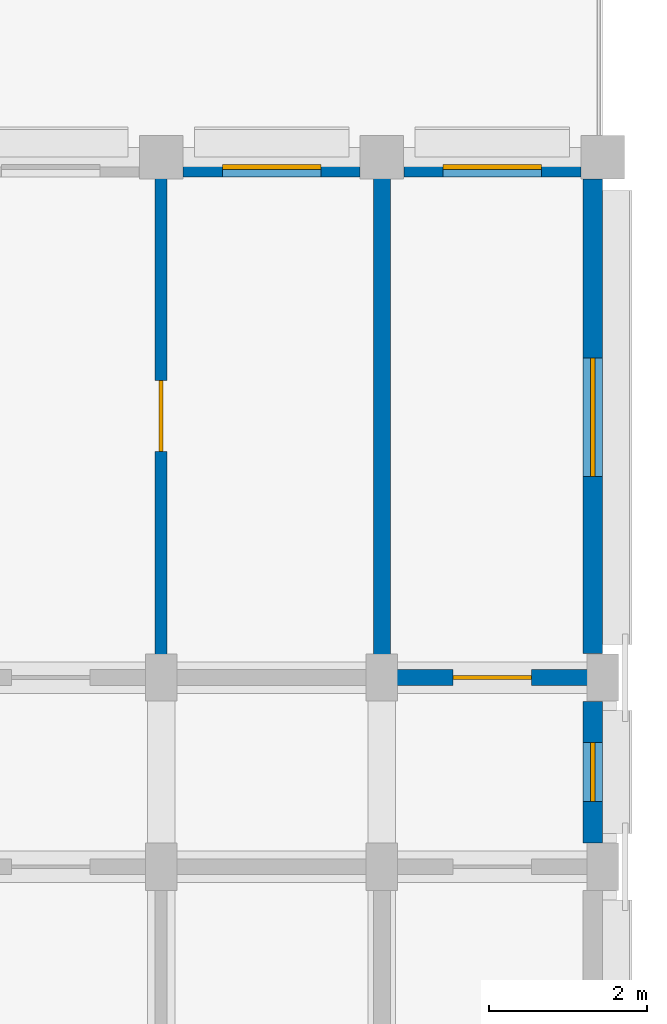
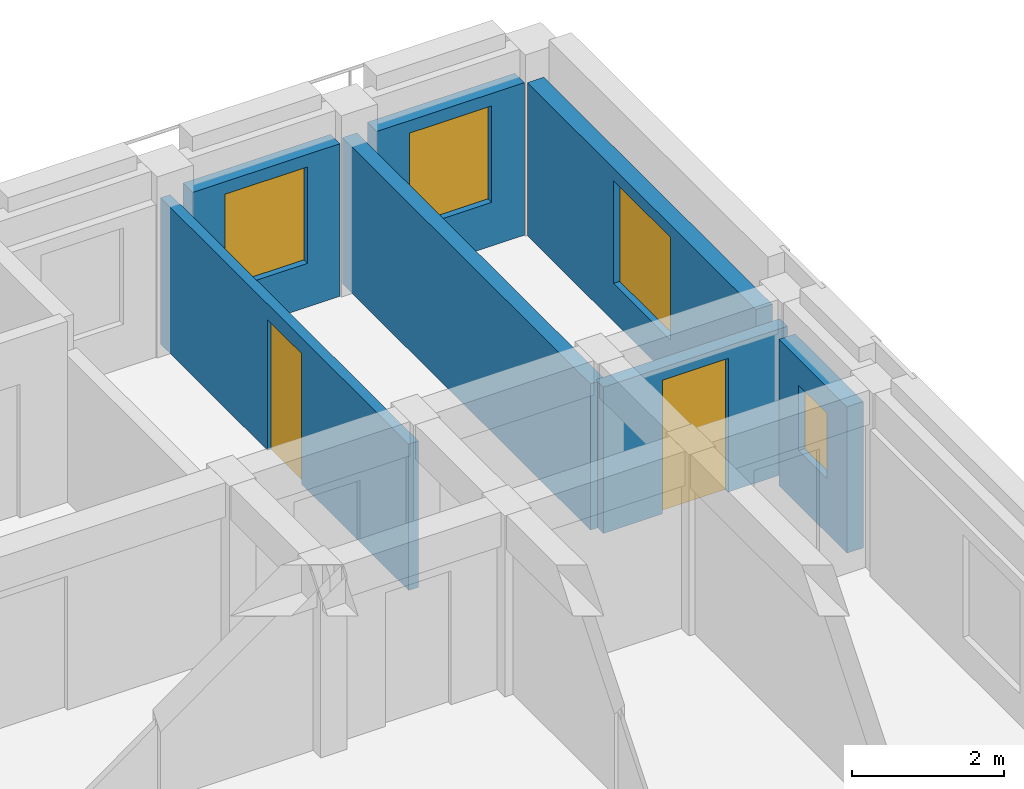
# One storey, part 10 of 14: 7 walls, 4 windows, 2 doors, 6 openings.
"""IFC4 building model written with IfcOpenShell, lengths in metres."""

from ifc_helpers import new_model, si_unit, direction, frame, frame_2d, origin, place, context, subcontext, project, spatial, rectangle, extrude, material, layer, layer_set, type_object, element, fill, save


model = new_model("IFC4")

# Units and contexts
model_context = context("Model", 3, precision=1e-05, world=origin(), true_north=direction((0.0, 1.0)))
body_context = subcontext(model_context, "Body", "Model", "MODEL_VIEW")
ifc_project = project(units=[si_unit("LENGTHUNIT", "METRE"), si_unit("AREAUNIT", "SQUARE_METRE"), si_unit("VOLUMEUNIT", "CUBIC_METRE"), si_unit("PLANEANGLEUNIT", "RADIAN"), si_unit("MASSUNIT", "GRAM", prefix="KILO")], contexts=[model_context])

# Site, building, storey
site_placement = place(None, origin())
site = spatial("IfcSite", under=ifc_project, at=site_placement, CompositionType="ELEMENT")
building_placement = place(site_placement, origin())
building = spatial("IfcBuilding", under=site, at=building_placement, Name="Kiranvali Square Residences", CompositionType="ELEMENT")
storey_placement = place(building_placement, frame((0.0, 0.0, 49.64990234375)))
storey = spatial("IfcBuildingStorey", under=building, at=storey_placement, Name="L15", CompositionType="ELEMENT", Elevation=49.64990234375)

# Wall, opening, door
ifc_material_1 = material(Name="Autoclaved aerated concrete blockwork masonry", Category="masonry")
ifc_layer_1 = layer(ifc_material_1, 0.199951171875)
ifc_layer_set_1 = layer_set([ifc_layer_1], Name="Autoclaved aerated concrete blockwork masonry")
wall_type_1 = type_object("IfcWallType", Name="WL-COR-200", PredefinedType="STANDARD", material=ifc_layer_set_1)
wall_1_placement = place(storey_placement, frame((65.0, 116.0, 0.0), z_axis=(0.0, 0.0, 1.0), x_axis=(1.0, 0.0, 0.0)))
wall_1 = element("IfcWall", 1, at=wall_1_placement, inside=storey, type_object=wall_type_1, Name="L15 architectural wall WL-L15-A-A1CO-2", PredefinedType="STANDARD", context=body_context, shape_type="SweptSolid", body=[
    extrude(rectangle(XDim=2.800048828125, YDim=0.199951171875, at=frame_2d((1.39990234375, 0.0))), origin(), (0.0, 0.0, 1.0), 2.35205078125),
])
opening_1_placement = place(wall_1_placement, frame((0.89990234375, 0.0, 0.0)))
opening_1 = element("IfcOpeningElement", 2, at=opening_1_placement, cuts=wall_1, Name="Opening FD-APT-60", PredefinedType="OPENING", context=body_context, shape_type="SweptSolid", body=[
    extrude(rectangle(XDim=1.0, YDim=2.14990234375, at=frame_2d((0.5, 1.074951171875))), frame((0.0, 0.10986328125, 0.0), z_axis=(0.0, -1.0, 0.0), x_axis=(1.0, 0.0, 0.0)), (0.0, 0.0, 1.0), 0.219970703125),
])
ifc_material_2 = material(Name="Fire-rated acoustic hardwood and mineral-core door assembly", Category="wood")
door_type_1 = type_object("IfcDoorType", Name="DR-APT-1000", OperationType="NOTDEFINED", PredefinedType="DOOR", material=ifc_material_2)
door_1_placement = place(opening_1_placement, origin())
door_1 = element("IfcDoor", 3, at=door_1_placement, inside=storey, type_object=door_type_1, Name="L15 door DR-L15-0915 (DR-APT-1000)", OperationType="SINGLE_SWING_LEFT", OverallHeight=2.14990234375, OverallWidth=1.0, PredefinedType="DOOR", context=body_context, shape_type="SweptSolid", body=[
    extrude(rectangle(XDim=1.0, YDim=2.14990234375, at=frame_2d((0.5, 1.074951171875))), frame((0.0, 0.02490234375, 0.0), z_axis=(0.0, -1.0, 0.0), x_axis=(1.0, 0.0, 0.0)), (0.0, 0.0, 1.0), 0.050048828125),
])
fill(opening_1, door_1)

# Wall
ifc_layer_2 = layer(ifc_material_1, 0.219970703125)
ifc_layer_set_2 = layer_set([ifc_layer_2], Name="Autoclaved aerated concrete blockwork masonry")
wall_type_2 = type_object("IfcWallType", Name="WL-DEM-220", PredefinedType="STANDARD", material=ifc_layer_set_2)
wall_2_placement = place(storey_placement, frame((65.0, 116.050048828125, 0.0), z_axis=(0.0, 0.0, 1.0), x_axis=(0.0, 1.0, 0.0)))
element("IfcWall", 4, at=wall_2_placement, inside=storey, type_object=wall_type_2, Name="L15 architectural wall WL-L15-A-A1TO1-2", PredefinedType="STANDARD", context=body_context, shape_type="SweptSolid", body=[
    extrude(rectangle(XDim=6.530029296875, YDim=0.219970703125, at=frame_2d((3.26513671875, 0.0))), origin(), (0.0, 0.0, 1.0), 2.35205078125),
])

# Wall, opening, window
ifc_material_3 = material(Name="Breathable lime-rendered clay brick masonry", Category="masonry")
ifc_layer_3 = layer(ifc_material_3, 0.25)
ifc_layer_set_3 = layer_set([ifc_layer_3], Name="Breathable lime-rendered clay brick masonry")
wall_type_3 = type_object("IfcWallType", Name="WL-EXT-250", PredefinedType="STANDARD", material=ifc_layer_set_3)
wall_3_placement = place(storey_placement, frame((62.478515625, 122.47509765625, 0.0), z_axis=(0.0, 0.0, 1.0), x_axis=(1.0, 0.0, 0.0)))
wall_3 = element("IfcWall", 5, at=wall_3_placement, inside=storey, type_object=wall_type_3, Name="L15 exterior wall A-L15-A1TO-1", PredefinedType="STANDARD", context=body_context, shape_type="SweptSolid", body=[
    extrude(rectangle(XDim=2.242919921875, YDim=0.25, at=frame_2d((1.12158203125, 0.0))), origin(), (0.0, 0.0, 1.0), 2.4521484375),
])
opening_2_placement = place(wall_3_placement, frame((0.49658203125, 0.0, 0.701904296875)))
opening_2 = element("IfcOpeningElement", 6, at=opening_2_placement, cuts=wall_3, Name="Opening W-19", PredefinedType="OPENING", context=body_context, shape_type="SweptSolid", body=[
    extrude(rectangle(XDim=1.25, YDim=1.550048828125, at=frame_2d((0.625, 0.77490234375))), frame((0.0, 0.135009765625, 0.0), z_axis=(0.0, -1.0, 0.0), x_axis=(1.0, 0.0, 0.0)), (0.0, 0.0, 1.0), 0.27001953125),
])
ifc_material_4 = material(Name="Solar-control low-e double glazing", Category="glass")
window_type_1 = type_object("IfcWindowType", Name="WIN-GDN-1250x1550", PartitioningType="SINGLE_PANEL", PredefinedType="WINDOW", material=ifc_material_4)
window_1_placement = place(opening_2_placement, origin())
window_1 = element("IfcWindow", 7, at=window_1_placement, inside=storey, type_object=window_type_1, Name="L15 recessed window A-L15-A1TO-1", OverallHeight=1.550048828125, OverallWidth=1.25, PartitioningType="SINGLE_PANEL", PredefinedType="WINDOW", context=body_context, shape_type="SweptSolid", body=[
    extrude(rectangle(XDim=1.25, YDim=1.550048828125, at=frame_2d((0.625, 0.77490234375))), frame((0.0, 0.030029296875, 0.0), z_axis=(0.0, -1.0, 0.0), x_axis=(1.0, 0.0, 0.0)), (0.0, 0.0, 1.0), 0.06005859375),
])
fill(opening_2, window_1)

wall_4_placement = place(storey_placement, frame((65.278564453125, 122.47509765625, 0.0), z_axis=(0.0, 0.0, 1.0), x_axis=(1.0, 0.0, 0.0)))
wall_4 = element("IfcWall", 8, at=wall_4_placement, inside=storey, type_object=wall_type_3, Name="L15 exterior wall A-L15-A1TO-2", PredefinedType="STANDARD", context=body_context, shape_type="SweptSolid", body=[
    extrude(rectangle(XDim=2.242919921875, YDim=0.25, at=frame_2d((1.12158203125, 0.0))), origin(), (0.0, 0.0, 1.0), 2.4521484375),
])
opening_3_placement = place(wall_4_placement, frame((0.49658203125, 0.0, 0.701904296875)))
opening_3 = element("IfcOpeningElement", 9, at=opening_3_placement, cuts=wall_4, Name="Opening W-19", PredefinedType="OPENING", context=body_context, shape_type="SweptSolid", body=[
    extrude(rectangle(XDim=1.25, YDim=1.550048828125, at=frame_2d((0.625, 0.77490234375))), frame((0.0, 0.135009765625, 0.0), z_axis=(0.0, -1.0, 0.0), x_axis=(1.0, 0.0, 0.0)), (0.0, 0.0, 1.0), 0.27001953125),
])
window_2_placement = place(opening_3_placement, origin())
window_2 = element("IfcWindow", 10, at=window_2_placement, inside=storey, type_object=window_type_1, Name="L15 recessed window A-L15-A1TO-2", OverallHeight=1.550048828125, OverallWidth=1.25, PartitioningType="SINGLE_PANEL", PredefinedType="WINDOW", context=body_context, shape_type="SweptSolid", body=[
    extrude(rectangle(XDim=1.25, YDim=1.550048828125, at=frame_2d((0.625, 0.77490234375))), frame((0.0, 0.030029296875, 0.0), z_axis=(0.0, -1.0, 0.0), x_axis=(1.0, 0.0, 0.0)), (0.0, 0.0, 1.0), 0.06005859375),
])
fill(opening_3, window_2)

wall_5_placement = place(storey_placement, frame((67.675048828125, 113.903564453125, 0.0), z_axis=(0.0, 0.0, 1.0), x_axis=(0.0, 1.0, 0.0)))
wall_5 = element("IfcWall", 11, at=wall_5_placement, inside=storey, type_object=wall_type_3, Name="L15 exterior wall A-L15-A1END-1", PredefinedType="STANDARD", context=body_context, shape_type="SweptSolid", body=[
    extrude(rectangle(XDim=1.79296875, YDim=0.25, at=frame_2d((0.896484375, 0.0))), origin(), (0.0, 0.0, 1.0), 2.35205078125),
])
opening_4_placement = place(wall_5_placement, frame((0.521484375, 0.0, 0.8798828125)))
opening_4 = element("IfcOpeningElement", 12, at=opening_4_placement, cuts=wall_5, Name="Opening W-07", PredefinedType="OPENING", context=body_context, shape_type="SweptSolid", body=[
    extrude(rectangle(XDim=0.75, YDim=1.050048828125, at=frame_2d((0.375, 0.52490234375))), frame((0.0, 0.135009765625, 0.0), z_axis=(0.0, -1.0, 0.0), x_axis=(1.0, 0.0, 0.0)), (0.0, 0.0, 1.0), 0.27001953125),
])
window_type_2 = type_object("IfcWindowType", Name="WIN-WET-750x1050", PartitioningType="SINGLE_PANEL", PredefinedType="WINDOW", material=ifc_material_4)
window_3_placement = place(opening_4_placement, origin())
window_3 = element("IfcWindow", 13, at=window_3_placement, inside=storey, type_object=window_type_2, Name="L15 recessed window A-L15-A1END-1", OverallHeight=1.050048828125, OverallWidth=0.75, PartitioningType="SINGLE_PANEL", PredefinedType="WINDOW", context=body_context, shape_type="SweptSolid", body=[
    extrude(rectangle(XDim=0.75, YDim=1.050048828125, at=frame_2d((0.375, 0.52490234375))), frame((0.0, 0.030029296875, 0.0), z_axis=(0.0, -1.0, 0.0), x_axis=(1.0, 0.0, 0.0)), (0.0, 0.0, 1.0), 0.06005859375),
])
fill(opening_4, window_3)

wall_6_placement = place(storey_placement, frame((67.675048828125, 116.303466796875, 0.0), z_axis=(0.0, 0.0, 1.0), x_axis=(0.0, 1.0, 0.0)))
wall_6 = element("IfcWall", 14, at=wall_6_placement, inside=storey, type_object=wall_type_3, Name="L15 exterior wall A-L15-A1END-2", PredefinedType="STANDARD", context=body_context, shape_type="SweptSolid", body=[
    extrude(rectangle(XDim=6.01806640625, YDim=0.25, at=frame_2d((3.009033203125, 0.0))), origin(), (0.0, 0.0, 1.0), 2.460205078125),
])
opening_5_placement = place(wall_6_placement, frame((2.24658203125, 0.0, 0.610107421875)))
opening_5 = element("IfcOpeningElement", 15, at=opening_5_placement, cuts=wall_6, Name="Opening W-05", PredefinedType="OPENING", context=body_context, shape_type="SweptSolid", body=[
    extrude(rectangle(XDim=1.5, YDim=1.64990234375, at=frame_2d((0.75, 0.824951171875))), frame((0.0, 0.135009765625, 0.0), z_axis=(0.0, -1.0, 0.0), x_axis=(1.0, 0.0, 0.0)), (0.0, 0.0, 1.0), 0.27001953125),
])
window_type_3 = type_object("IfcWindowType", Name="WIN-RES-1500x1650", PartitioningType="DOUBLE_PANEL_VERTICAL", PredefinedType="WINDOW", material=ifc_material_4)
window_4_placement = place(opening_5_placement, origin())
window_4 = element("IfcWindow", 16, at=window_4_placement, inside=storey, type_object=window_type_3, Name="L15 recessed window A-L15-A1END-2", OverallHeight=1.64990234375, OverallWidth=1.5, PartitioningType="DOUBLE_PANEL_VERTICAL", PredefinedType="WINDOW", context=body_context, shape_type="SweptSolid", body=[
    extrude(rectangle(XDim=1.5, YDim=1.64990234375, at=frame_2d((0.75, 0.824951171875))), frame((0.0, 0.030029296875, 0.0), z_axis=(0.0, -1.0, 0.0), x_axis=(1.0, 0.0, 0.0)), (0.0, 0.0, 1.0), 0.06005859375),
])
fill(opening_5, window_4)

# Wall, opening, door
ifc_material_5 = material(Name="Acoustic gypsum board drylined partition", Category="gypsum")
ifc_layer_4 = layer(ifc_material_5, 0.14990234375)
ifc_layer_set_4 = layer_set([ifc_layer_4], Name="Acoustic gypsum board drylined partition")
wall_type_4 = type_object("IfcWallType", Name="WL-PRT-150", PredefinedType="PARTITIONING", material=ifc_layer_set_4)
wall_7_placement = place(storey_placement, frame((62.199951171875, 116.050048828125, 0.0), z_axis=(0.0, 0.0, 1.0), x_axis=(0.0, 1.0, 0.0)))
wall_7 = element("IfcWall", 17, at=wall_7_placement, inside=storey, type_object=wall_type_4, Name="L15 architectural wall WL-L15-A-A1TO1-1", PredefinedType="PARTITIONING", context=body_context, shape_type="SweptSolid", body=[
    extrude(rectangle(XDim=6.530029296875, YDim=0.14990234375, at=frame_2d((3.26513671875, 0.0))), origin(), (0.0, 0.0, 1.0), 2.35205078125),
])
opening_6_placement = place(wall_7_placement, frame((2.81494140625, 0.0, 0.0)))
opening_6 = element("IfcOpeningElement", 18, at=opening_6_placement, cuts=wall_7, Name="Opening ID-1", PredefinedType="OPENING", context=body_context, shape_type="SweptSolid", body=[
    extrude(rectangle(XDim=0.89990234375, YDim=2.10009765625, at=frame_2d((0.449951171875, 1.050048828125))), frame((0.0, 0.0849609375, 0.0), z_axis=(0.0, -1.0, 0.0), x_axis=(1.0, 0.0, 0.0)), (0.0, 0.0, 1.0), 0.169921875),
])
ifc_material_6 = material(Name="Solid seasoned teak hardwood joinery", Category="wood")
door_type_2 = type_object("IfcDoorType", Name="DR-INT-900", OperationType="NOTDEFINED", PredefinedType="DOOR", material=ifc_material_6)
door_2_placement = place(opening_6_placement, origin())
door_2 = element("IfcDoor", 19, at=door_2_placement, inside=storey, type_object=door_type_2, Name="L15 door DR-L15-0917 (DR-INT-900)", OperationType="SINGLE_SWING_LEFT", OverallHeight=2.10009765625, OverallWidth=0.89990234375, PredefinedType="DOOR", context=body_context, shape_type="SweptSolid", body=[
    extrude(rectangle(XDim=0.89990234375, YDim=2.10009765625, at=frame_2d((0.449951171875, 1.050048828125))), frame((0.0, 0.02490234375, 0.0), z_axis=(0.0, -1.0, 0.0), x_axis=(1.0, 0.0, 0.0)), (0.0, 0.0, 1.0), 0.050048828125),
])
fill(opening_6, door_2)

save(model, "model.ifc")
